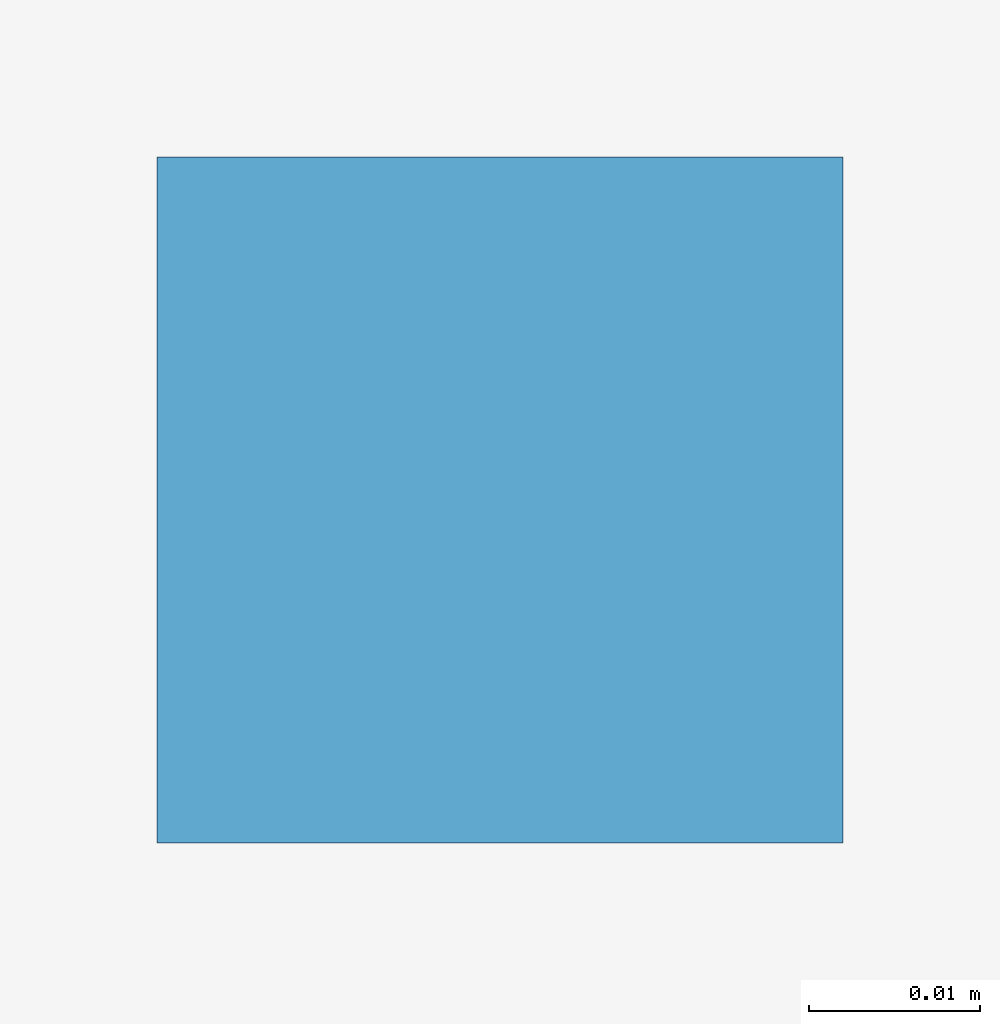
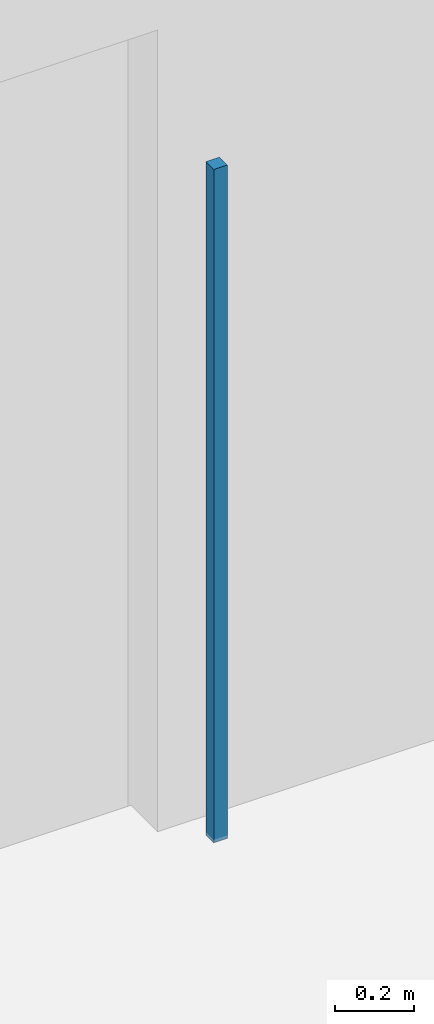
# One storey, part 119 of 167: 1 discrete accessory.
"""IFC4 building model written with IfcOpenShell, lengths in metres."""

from ifc_helpers import new_model, si_unit, direction, frame, origin, origin_2d, place, context, subcontext, project, spatial, rectangle, extrude, material, type_object, element, save


model = new_model("IFC4")

# Units and contexts
model_context = context("Model", 3, precision=1e-05, world=origin(), true_north=direction((0.0, 1.0)))
body_context = subcontext(model_context, "Body", "Model", "MODEL_VIEW")
ifc_project = project(units=[si_unit("LENGTHUNIT", "METRE"), si_unit("AREAUNIT", "SQUARE_METRE"), si_unit("VOLUMEUNIT", "CUBIC_METRE"), si_unit("PLANEANGLEUNIT", "RADIAN"), si_unit("MASSUNIT", "GRAM", prefix="KILO")], contexts=[model_context])

# Site, building, storey
site_placement = place(None, origin())
site = spatial("IfcSite", under=ifc_project, at=site_placement, CompositionType="ELEMENT")
building_placement = place(site_placement, origin())
building = spatial("IfcBuilding", under=site, at=building_placement, Name="Varncliffe General Hospital", CompositionType="ELEMENT")
storey_placement = place(building_placement, origin())
storey = spatial("IfcBuildingStorey", under=building, at=storey_placement, Name="L00", CompositionType="ELEMENT", Elevation=0.0)

# Discrete accessory
ifc_material = material(Name="Powder-coated hospital steel guardrail and handrail", Category="steel")
discrete_accessory_type = type_object("IfcDiscreteAccessoryType", Name="Suspended Ceiling Hanger Bracket CH01", PredefinedType="BRACKET", material=ifc_material)
discrete_accessory_placement = place(storey_placement, frame((112.39990234375, 120.60009765625, 3.18994140625), z_axis=(0.0, 0.0, 1.0), x_axis=(1.0, 0.0, 0.0)))
element("IfcDiscreteAccessory", 1, at=discrete_accessory_placement, inside=storey, type_object=discrete_accessory_type, Name="L00 Suspended Ceiling Hanger 98", PredefinedType="BRACKET", context=body_context, shape_type="SweptSolid", body=[
    extrude(rectangle(XDim=0.0400390625, YDim=0.0400390625, at=origin_2d()), origin(), (0.0, 0.0, 1.0), 2.090087890625),
])

save(model, "model.ifc")
